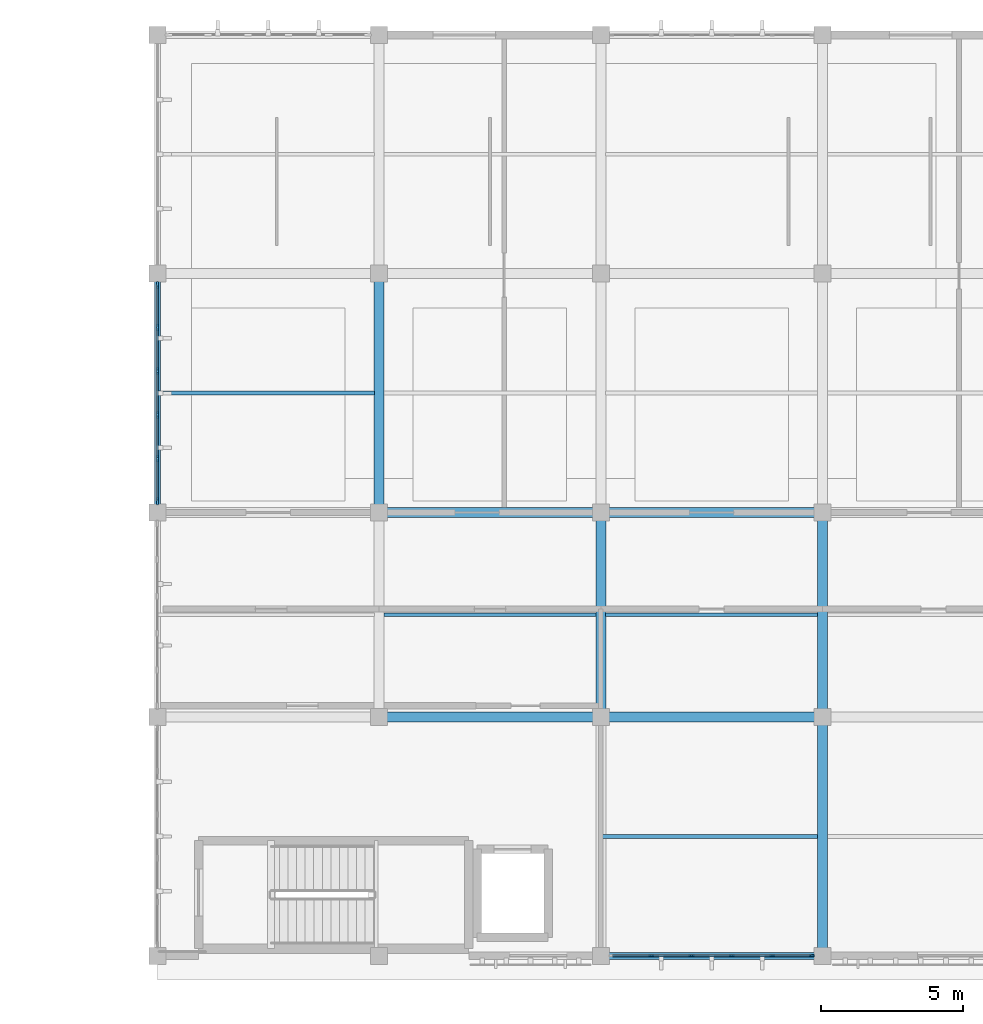
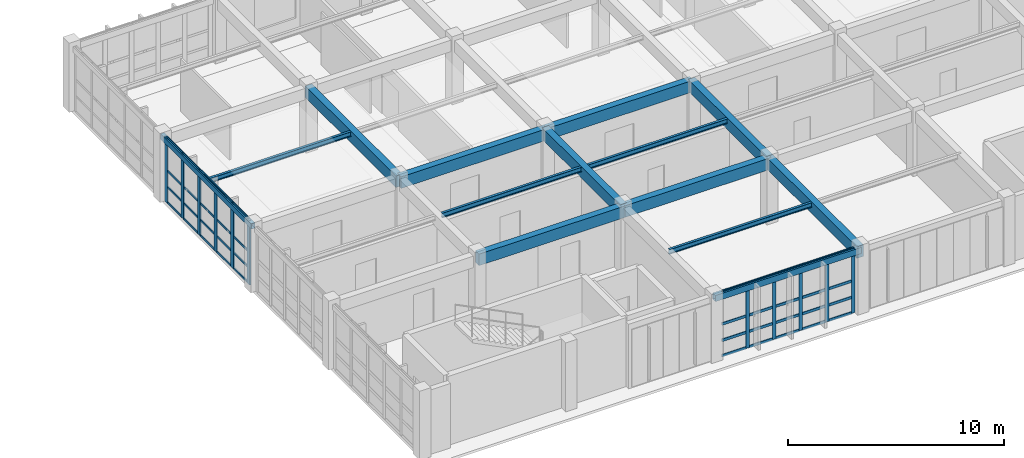
# One storey, part 7 of 67: 51 members, 14 beams, 2 elements without a shape of their own.
"""IFC4 building model written with IfcOpenShell, lengths in metres."""

from ifc_helpers import new_model, si_unit, direction, frame, origin, origin_2d, place, context, subcontext, project, spatial, rectangle, hollow_rectangle, i_section, extrude, material, material_profile, profile_set, type_object, element, aggregate, save


model = new_model("IFC4")

# Units and contexts
model_context = context("Model", 3, precision=1e-05, world=origin(), true_north=direction((0.0, 1.0)))
body_context = subcontext(model_context, "Body", "Model", "MODEL_VIEW")
ifc_project = project(units=[si_unit("LENGTHUNIT", "METRE"), si_unit("AREAUNIT", "SQUARE_METRE"), si_unit("VOLUMEUNIT", "CUBIC_METRE"), si_unit("PLANEANGLEUNIT", "RADIAN"), si_unit("MASSUNIT", "GRAM", prefix="KILO")], contexts=[model_context])

# Site, building, storey
site_placement = place(None, origin())
site = spatial("IfcSite", under=ifc_project, at=site_placement, CompositionType="ELEMENT")
building_placement = place(site_placement, origin())
building = spatial("IfcBuilding", under=site, at=building_placement, Name="Tizgana Railside Sports Hall", CompositionType="ELEMENT")
storey_placement = place(building_placement, frame((0.0, 0.0, 12.0)))
storey = spatial("IfcBuildingStorey", under=building, at=storey_placement, Name="L02", CompositionType="ELEMENT", Elevation=12.0)

# Beams
ifc_material_1 = material(Name="Concrete C35/45", Category="concrete")
ifc_material_profile_1 = material_profile(ifc_material_1, rectangle(XDim=0.35009765625, YDim=0.64990234375, at=origin_2d()), Name="RCB 350x650")
ifc_profile_set_1 = profile_set([ifc_material_profile_1], Name="Concrete C35/45")
beam_type_1 = type_object("IfcBeamType", Name="Concrete Beam RCB 350x650", PredefinedType="BEAM", material=ifc_profile_set_1)
beam_1_placement = place(storey_placement, frame((15.60009765625, 15.60009765625, 3.31103515625), z_axis=(0.0, 1.0, 0.0), x_axis=(-1.0, 0.0, 0.0)))
element("IfcBeam", 1, at=beam_1_placement, inside=storey, type_object=beam_type_1, Name="L02 BEM-0602", PredefinedType="BEAM", context=body_context, shape_type="SweptSolid", body=[
    extrude(rectangle(XDim=0.35009765625, YDim=0.64990234375, at=origin_2d()), origin(), (0.0, 0.0, 1.0), 8.39990234375),
])
beam_2_placement = place(storey_placement, frame((23.39990234375, 8.39990234375, 3.31103515625), z_axis=(0.0, 1.0, 0.0), x_axis=(-1.0, 0.0, 0.0)))
element("IfcBeam", 2, at=beam_2_placement, inside=storey, type_object=beam_type_1, Name="L02 BEM-0605", PredefinedType="BEAM", context=body_context, shape_type="SweptSolid", body=[
    extrude(rectangle(XDim=0.35009765625, YDim=0.64990234375, at=origin_2d()), origin(), (0.0, 0.0, 1.0), 7.2001953125),
])
beam_3_placement = place(storey_placement, frame((31.199951171875, 0.0, 3.31103515625), z_axis=(0.0, 1.0, 0.0), x_axis=(-1.0, 0.0, 0.0)))
element("IfcBeam", 3, at=beam_3_placement, inside=storey, type_object=beam_type_1, Name="L02 BEM-0608", PredefinedType="BEAM", context=body_context, shape_type="SweptSolid", body=[
    extrude(rectangle(XDim=0.35009765625, YDim=0.64990234375, at=origin_2d()), origin(), (0.0, 0.0, 1.0), 8.39990234375),
])
beam_4_placement = place(storey_placement, frame((31.199951171875, 8.39990234375, 3.31103515625), z_axis=(0.0, 1.0, 0.0), x_axis=(-1.0, 0.0, 0.0)))
element("IfcBeam", 4, at=beam_4_placement, inside=storey, type_object=beam_type_1, Name="L02 BEM-0609", PredefinedType="BEAM", context=body_context, shape_type="SweptSolid", body=[
    extrude(rectangle(XDim=0.35009765625, YDim=0.64990234375, at=origin_2d()), origin(), (0.0, 0.0, 1.0), 7.2001953125),
])
for number, where, z_axis, x_axis, name in (
    (5, (15.60009765625, 8.39990234375, 3.31103515625), (1.0, 0.0, 0.0), (0.0, 1.0, 0.0), "L02 BEM-0641"),
    (6, (15.60009765625, 15.60009765625, 3.31103515625), (1.0, 0.0, 0.0), (0.0, 1.0, 0.0), "L02 BEM-0642"),
):
    element("IfcBeam", number, at=place(storey_placement, frame(where, z_axis=z_axis, x_axis=x_axis)), inside=storey, type_object=beam_type_1, Name=name, PredefinedType="BEAM", context=body_context, shape_type="SweptSolid", body=[
        extrude(rectangle(XDim=0.35009765625, YDim=0.64990234375, at=origin_2d()), origin(), (0.0, 0.0, 1.0), 7.7998046875),
    ])
for number, where, z_axis, x_axis, name in (
    (7, (23.39990234375, 8.39990234375, 3.31103515625), (1.0, 0.0, 0.0), (0.0, 1.0, 0.0), "L02 BEM-0649"),
    (8, (23.39990234375, 15.60009765625, 3.31103515625), (1.0, 0.0, 0.0), (0.0, 1.0, 0.0), "L02 BEM-0650"),
):
    element("IfcBeam", number, at=place(storey_placement, frame(where, z_axis=z_axis, x_axis=x_axis)), inside=storey, type_object=beam_type_1, Name=name, PredefinedType="BEAM", context=body_context, shape_type="SweptSolid", body=[
        extrude(rectangle(XDim=0.35009765625, YDim=0.64990234375, at=origin_2d()), origin(), (0.0, 0.0, 1.0), 7.800048828125),
    ])

# Curtain wall, members
ifc_material_2 = material(Name="Anodised aluminium and glass", Category="aluminium")
curtain_wall_type_1 = type_object("IfcCurtainWallType", Name="Unitised Curtain Wall Concourse 1500", PredefinedType="NOTDEFINED", material=ifc_material_2)
curtain_wall_1_placement = place(storey_placement, origin())
curtain_wall_1 = element("IfcCurtainWall", 9, at=curtain_wall_1_placement, inside=storey, type_object=curtain_wall_type_1, Name="L02 Curtain Wall CW-0104", PredefinedType="NOTDEFINED")
ifc_material_3 = material(Name="Anodised aluminium", Category="aluminium")
ifc_material_profile_2 = material_profile(ifc_material_3, rectangle(XDim=0.06005859375, YDim=0.179931640625, at=origin_2d()), Name="Mullion 60x180")
ifc_profile_set_2 = profile_set([ifc_material_profile_2], Name="Anodised aluminium")
member_type_1 = type_object("IfcMemberType", Name="Mullion 60x180", PredefinedType="MULLION", material=ifc_profile_set_2)
member_1_placement = place(storey_placement, frame((30.81494140625, 0.0, 0.0), z_axis=(0.0, 0.0, 1.0), x_axis=(0.0, -1.0, 0.0)))
member_1 = element("IfcMember", 10, at=member_1_placement, type_object=member_type_1, Name="CW-01 mullion 1", PredefinedType="MULLION", context=body_context, shape_type="SweptSolid", body=[
    extrude(rectangle(XDim=0.06005859375, YDim=0.179931640625, at=origin_2d()), origin(), (0.0, 0.0, 1.0), 3.639892578125),
])
member_2_placement = place(storey_placement, frame((29.427001953125, 0.0, 0.0), z_axis=(0.0, 0.0, 1.0), x_axis=(0.0, -1.0, 0.0)))
member_2 = element("IfcMember", 11, at=member_2_placement, type_object=member_type_1, Name="CW-01 mullion 2", PredefinedType="MULLION", context=body_context, shape_type="SweptSolid", body=[
    extrude(rectangle(XDim=0.06005859375, YDim=0.179931640625, at=origin_2d()), origin(), (0.0, 0.0, 1.0), 3.639892578125),
])
member_3_placement = place(storey_placement, frame((28.009033203125, 0.0, 0.0), z_axis=(0.0, 0.0, 1.0), x_axis=(0.0, -1.0, 0.0)))
member_3 = element("IfcMember", 12, at=member_3_placement, type_object=member_type_1, Name="CW-01 mullion 3", PredefinedType="MULLION", context=body_context, shape_type="SweptSolid", body=[
    extrude(rectangle(XDim=0.06005859375, YDim=0.179931640625, at=origin_2d()), origin(), (0.0, 0.0, 1.0), 3.639892578125),
])
member_4_placement = place(storey_placement, frame((26.591064453125, 0.0, 0.0), z_axis=(0.0, 0.0, 1.0), x_axis=(0.0, -1.0, 0.0)))
member_4 = element("IfcMember", 13, at=member_4_placement, type_object=member_type_1, Name="CW-01 mullion 4", PredefinedType="MULLION", context=body_context, shape_type="SweptSolid", body=[
    extrude(rectangle(XDim=0.06005859375, YDim=0.179931640625, at=origin_2d()), origin(), (0.0, 0.0, 1.0), 3.639892578125),
])
member_5_placement = place(storey_placement, frame((25.173095703125, 0.0, 0.0), z_axis=(0.0, 0.0, 1.0), x_axis=(0.0, -1.0, 0.0)))
member_5 = element("IfcMember", 14, at=member_5_placement, type_object=member_type_1, Name="CW-01 mullion 5", PredefinedType="MULLION", context=body_context, shape_type="SweptSolid", body=[
    extrude(rectangle(XDim=0.06005859375, YDim=0.179931640625, at=origin_2d()), origin(), (0.0, 0.0, 1.0), 3.639892578125),
])

curtain_wall_type_2 = type_object("IfcCurtainWallType", Name="Unitised Curtain Wall Foyer 1300", PredefinedType="NOTDEFINED", material=ifc_material_2)
curtain_wall_2_placement = place(storey_placement, origin())
curtain_wall_2 = element("IfcCurtainWall", 15, at=curtain_wall_2_placement, inside=storey, type_object=curtain_wall_type_2, Name="L02 Curtain Wall CW-0113", PredefinedType="NOTDEFINED")
ifc_material_profile_3 = material_profile(ifc_material_3, rectangle(XDim=0.074951171875, YDim=0.25, at=origin_2d()), Name="Mullion 75x250")
ifc_profile_set_3 = profile_set([ifc_material_profile_3], Name="Anodised aluminium")
member_type_2 = type_object("IfcMemberType", Name="Mullion 75x250", PredefinedType="MULLION", material=ifc_profile_set_3)
member_6_placement = place(storey_placement, frame((7.800048828125, 23.607421875, 0.0), z_axis=(0.0, 0.0, 1.0), x_axis=(1.0, 0.0, 0.0)))
member_6 = element("IfcMember", 16, at=member_6_placement, type_object=member_type_2, Name="CW-02 mullion 1", PredefinedType="MULLION", context=body_context, shape_type="SweptSolid", body=[
    extrude(rectangle(XDim=0.074951171875, YDim=0.25, at=origin_2d()), origin(), (0.0, 0.0, 1.0), 3.639892578125),
])
member_7_placement = place(storey_placement, frame((7.800048828125, 22.10693359375, 0.0), z_axis=(0.0, 0.0, 1.0), x_axis=(1.0, 0.0, 0.0)))
member_7 = element("IfcMember", 17, at=member_7_placement, type_object=member_type_2, Name="CW-02 mullion 2", PredefinedType="MULLION", context=body_context, shape_type="SweptSolid", body=[
    extrude(rectangle(XDim=0.074951171875, YDim=0.25, at=origin_2d()), origin(), (0.0, 0.0, 1.0), 3.639892578125),
])
member_8_placement = place(storey_placement, frame((7.800048828125, 20.569091796875, 0.0), z_axis=(0.0, 0.0, 1.0), x_axis=(1.0, 0.0, 0.0)))
member_8 = element("IfcMember", 18, at=member_8_placement, type_object=member_type_2, Name="CW-02 mullion 3", PredefinedType="MULLION", context=body_context, shape_type="SweptSolid", body=[
    extrude(rectangle(XDim=0.074951171875, YDim=0.25, at=origin_2d()), origin(), (0.0, 0.0, 1.0), 3.639892578125),
])
member_9_placement = place(storey_placement, frame((7.800048828125, 19.031005859375, 0.0), z_axis=(0.0, 0.0, 1.0), x_axis=(1.0, 0.0, 0.0)))
member_9 = element("IfcMember", 19, at=member_9_placement, type_object=member_type_2, Name="CW-02 mullion 4", PredefinedType="MULLION", context=body_context, shape_type="SweptSolid", body=[
    extrude(rectangle(XDim=0.074951171875, YDim=0.25, at=origin_2d()), origin(), (0.0, 0.0, 1.0), 3.639892578125),
])
member_10_placement = place(storey_placement, frame((7.800048828125, 17.492919921875, 0.0), z_axis=(0.0, 0.0, 1.0), x_axis=(1.0, 0.0, 0.0)))
member_10 = element("IfcMember", 20, at=member_10_placement, type_object=member_type_2, Name="CW-02 mullion 5", PredefinedType="MULLION", context=body_context, shape_type="SweptSolid", body=[
    extrude(rectangle(XDim=0.074951171875, YDim=0.25, at=origin_2d()), origin(), (0.0, 0.0, 1.0), 3.639892578125),
])
member_11_placement = place(storey_placement, frame((7.800048828125, 15.992431640625, 0.0), z_axis=(0.0, 0.0, 1.0), x_axis=(1.0, 0.0, 0.0)))
member_11 = element("IfcMember", 21, at=member_11_placement, type_object=member_type_2, Name="CW-02 mullion 6", PredefinedType="MULLION", context=body_context, shape_type="SweptSolid", body=[
    extrude(rectangle(XDim=0.074951171875, YDim=0.25, at=origin_2d()), origin(), (0.0, 0.0, 1.0), 3.639892578125),
])

# Beams
ifc_material_4 = material(Name="Steel S355J2", Category="steel")
ifc_material_profile_4 = material_profile(ifc_material_4, i_section(OverallWidth=0.1298828125, OverallDepth=0.27001953125, WebThickness=0.006591796875, FlangeThickness=0.01025390625, FilletRadius=0.014892578125, at=origin_2d()), Name="IPE 270")
ifc_profile_set_4 = profile_set([ifc_material_profile_4], Name="Steel S355J2")
beam_type_2 = type_object("IfcBeamType", Name="Steel Joist IPE 270", PredefinedType="JOIST", material=ifc_profile_set_4)
beam_5_placement = place(storey_placement, frame((7.800048828125, 19.800048828125, 3.5009765625), z_axis=(1.0, 0.0, 0.0), x_axis=(0.0, 1.0, 0.0)))
element("IfcBeam", 22, at=beam_5_placement, inside=storey, type_object=beam_type_2, Name="L02 BEM-0639", PredefinedType="JOIST", context=body_context, shape_type="SweptSolid", body=[
    extrude(i_section(OverallWidth=0.1298828125, OverallDepth=0.27001953125, WebThickness=0.006591796875, FlangeThickness=0.01025390625, FilletRadius=0.014892578125, at=origin_2d()), origin(), (0.0, 0.0, 1.0), 7.6298828125),
])
beam_6_placement = place(storey_placement, frame((15.77001953125, 12.0, 3.5009765625), z_axis=(1.0, 0.0, 0.0), x_axis=(0.0, 1.0, 0.0)))
element("IfcBeam", 23, at=beam_6_placement, inside=storey, type_object=beam_type_2, Name="L02 BEM-0645", PredefinedType="JOIST", context=body_context, shape_type="SweptSolid", body=[
    extrude(i_section(OverallWidth=0.1298828125, OverallDepth=0.27001953125, WebThickness=0.006591796875, FlangeThickness=0.01025390625, FilletRadius=0.014892578125, at=origin_2d()), origin(), (0.0, 0.0, 1.0), 7.4599609375),
])
beam_7_placement = place(storey_placement, frame((23.39990234375, 4.199951171875, 3.5009765625), z_axis=(1.0, 0.0, 0.0), x_axis=(0.0, 1.0, 0.0)))
element("IfcBeam", 24, at=beam_7_placement, inside=storey, type_object=beam_type_2, Name="L02 BEM-0653", PredefinedType="JOIST", context=body_context, shape_type="SweptSolid", body=[
    extrude(i_section(OverallWidth=0.1298828125, OverallDepth=0.27001953125, WebThickness=0.006591796875, FlangeThickness=0.01025390625, FilletRadius=0.014892578125, at=origin_2d()), origin(), (0.0, 0.0, 1.0), 7.630126953125),
])
beam_8_placement = place(storey_placement, frame((23.570068359375, 12.0, 3.5009765625), z_axis=(1.0, 0.0, 0.0), x_axis=(0.0, 1.0, 0.0)))
element("IfcBeam", 25, at=beam_8_placement, inside=storey, type_object=beam_type_2, Name="L02 BEM-0654", PredefinedType="JOIST", context=body_context, shape_type="SweptSolid", body=[
    extrude(i_section(OverallWidth=0.1298828125, OverallDepth=0.27001953125, WebThickness=0.006591796875, FlangeThickness=0.01025390625, FilletRadius=0.014892578125, at=origin_2d()), origin(), (0.0, 0.0, 1.0), 7.4599609375),
])
ifc_material_profile_5 = material_profile(ifc_material_4, hollow_rectangle(XDim=0.199951171875, YDim=0.300048828125, WallThickness=0.010009765625, at=origin_2d()), Name="RHS 300x200x10")
ifc_profile_set_5 = profile_set([ifc_material_profile_5], Name="Steel S355J2")
beam_type_3 = type_object("IfcBeamType", Name="Steel Spandrel RHS 300x200x10", PredefinedType="SPANDREL", material=ifc_profile_set_5)
beam_9_placement = place(storey_placement, frame((7.800048828125, 15.60009765625, 3.486083984375), z_axis=(0.0, 1.0, 0.0), x_axis=(-1.0, 0.0, 0.0)))
element("IfcBeam", 26, at=beam_9_placement, inside=storey, type_object=beam_type_3, Name="L02 BEM-0599", PredefinedType="SPANDREL", context=body_context, shape_type="SweptSolid", body=[
    extrude(hollow_rectangle(XDim=0.199951171875, YDim=0.300048828125, WallThickness=0.010009765625, at=origin_2d()), origin(), (0.0, 0.0, 1.0), 8.39990234375),
])
ifc_material_profile_6 = material_profile(ifc_material_4, hollow_rectangle(XDim=0.25, YDim=0.35009765625, WallThickness=0.011962890625, at=origin_2d()), Name="RHS 350x250x12")
ifc_profile_set_6 = profile_set([ifc_material_profile_6], Name="Steel S355J2")
beam_type_4 = type_object("IfcBeamType", Name="Steel Spandrel RHS 350x250x12", PredefinedType="SPANDREL", material=ifc_profile_set_6)
beam_10_placement = place(storey_placement, frame((23.39990234375, 0.0, 3.4609375), z_axis=(1.0, 0.0, 0.0), x_axis=(0.0, 1.0, 0.0)))
element("IfcBeam", 27, at=beam_10_placement, inside=storey, type_object=beam_type_4, Name="L02 BEM-0648", PredefinedType="SPANDREL", context=body_context, shape_type="SweptSolid", body=[
    extrude(hollow_rectangle(XDim=0.25, YDim=0.35009765625, WallThickness=0.011962890625, at=origin_2d()), origin(), (0.0, 0.0, 1.0), 7.800048828125),
])

# Member
ifc_material_profile_7 = material_profile(ifc_material_3, rectangle(XDim=0.054931640625, YDim=0.1201171875, at=origin_2d()), Name="Transom 55x120")
ifc_profile_set_7 = profile_set([ifc_material_profile_7], Name="Anodised aluminium")
member_type_3 = type_object("IfcMemberType", Name="Transom 55x120", PredefinedType="USERDEFINED", material=ifc_profile_set_7)
member_12_placement = place(storey_placement, frame((7.800048828125, 23.570068359375, 0.027587890625), z_axis=(0.0, -1.0, 0.0), x_axis=(1.0, 0.0, 0.0)))
member_12 = element("IfcMember", 28, at=member_12_placement, type_object=member_type_3, Name="CW-02 transom 1.1", ObjectType="TRANSOM", PredefinedType="USERDEFINED", context=body_context, shape_type="SweptSolid", body=[
    extrude(rectangle(XDim=0.054931640625, YDim=0.1201171875, at=origin_2d()), origin(), (0.0, 0.0, 1.0), 1.425537109375),
])

member_13_placement = place(storey_placement, frame((7.800048828125, 23.570068359375, 0.89990234375), z_axis=(0.0, -1.0, 0.0), x_axis=(1.0, 0.0, 0.0)))
member_13 = element("IfcMember", 29, at=member_13_placement, type_object=member_type_3, Name="CW-02 transom 1.2", ObjectType="TRANSOM", PredefinedType="USERDEFINED", context=body_context, shape_type="SweptSolid", body=[
    extrude(rectangle(XDim=0.054931640625, YDim=0.1201171875, at=origin_2d()), origin(), (0.0, 0.0, 1.0), 1.425537109375),
])

member_14_placement = place(storey_placement, frame((7.800048828125, 23.570068359375, 1.820068359375), z_axis=(0.0, -1.0, 0.0), x_axis=(1.0, 0.0, 0.0)))
member_14 = element("IfcMember", 30, at=member_14_placement, type_object=member_type_3, Name="CW-02 transom 1.3", ObjectType="TRANSOM", PredefinedType="USERDEFINED", context=body_context, shape_type="SweptSolid", body=[
    extrude(rectangle(XDim=0.054931640625, YDim=0.1201171875, at=origin_2d()), origin(), (0.0, 0.0, 1.0), 1.425537109375),
])

member_15_placement = place(storey_placement, frame((7.800048828125, 23.570068359375, 3.612548828125), z_axis=(0.0, -1.0, 0.0), x_axis=(1.0, 0.0, 0.0)))
member_15 = element("IfcMember", 31, at=member_15_placement, type_object=member_type_3, Name="CW-02 transom 1.4", ObjectType="TRANSOM", PredefinedType="USERDEFINED", context=body_context, shape_type="SweptSolid", body=[
    extrude(rectangle(XDim=0.054931640625, YDim=0.1201171875, at=origin_2d()), origin(), (0.0, 0.0, 1.0), 1.425537109375),
])

member_16_placement = place(storey_placement, frame((7.800048828125, 22.069580078125, 0.027587890625), z_axis=(0.0, -1.0, 0.0), x_axis=(1.0, 0.0, 0.0)))
member_16 = element("IfcMember", 32, at=member_16_placement, type_object=member_type_3, Name="CW-02 transom 2.1", ObjectType="TRANSOM", PredefinedType="USERDEFINED", context=body_context, shape_type="SweptSolid", body=[
    extrude(rectangle(XDim=0.054931640625, YDim=0.1201171875, at=origin_2d()), origin(), (0.0, 0.0, 1.0), 1.463134765625),
])

member_17_placement = place(storey_placement, frame((7.800048828125, 22.069580078125, 0.89990234375), z_axis=(0.0, -1.0, 0.0), x_axis=(1.0, 0.0, 0.0)))
member_17 = element("IfcMember", 33, at=member_17_placement, type_object=member_type_3, Name="CW-02 transom 2.2", ObjectType="TRANSOM", PredefinedType="USERDEFINED", context=body_context, shape_type="SweptSolid", body=[
    extrude(rectangle(XDim=0.054931640625, YDim=0.1201171875, at=origin_2d()), origin(), (0.0, 0.0, 1.0), 1.463134765625),
])

member_18_placement = place(storey_placement, frame((7.800048828125, 22.069580078125, 1.820068359375), z_axis=(0.0, -1.0, 0.0), x_axis=(1.0, 0.0, 0.0)))
member_18 = element("IfcMember", 34, at=member_18_placement, type_object=member_type_3, Name="CW-02 transom 2.3", ObjectType="TRANSOM", PredefinedType="USERDEFINED", context=body_context, shape_type="SweptSolid", body=[
    extrude(rectangle(XDim=0.054931640625, YDim=0.1201171875, at=origin_2d()), origin(), (0.0, 0.0, 1.0), 1.463134765625),
])

member_19_placement = place(storey_placement, frame((7.800048828125, 22.069580078125, 3.612548828125), z_axis=(0.0, -1.0, 0.0), x_axis=(1.0, 0.0, 0.0)))
member_19 = element("IfcMember", 35, at=member_19_placement, type_object=member_type_3, Name="CW-02 transom 2.4", ObjectType="TRANSOM", PredefinedType="USERDEFINED", context=body_context, shape_type="SweptSolid", body=[
    extrude(rectangle(XDim=0.054931640625, YDim=0.1201171875, at=origin_2d()), origin(), (0.0, 0.0, 1.0), 1.463134765625),
])

member_20_placement = place(storey_placement, frame((7.800048828125, 20.531494140625, 0.027587890625), z_axis=(0.0, -1.0, 0.0), x_axis=(1.0, 0.0, 0.0)))
member_20 = element("IfcMember", 36, at=member_20_placement, type_object=member_type_3, Name="CW-02 transom 3.1", ObjectType="TRANSOM", PredefinedType="USERDEFINED", context=body_context, shape_type="SweptSolid", body=[
    extrude(rectangle(XDim=0.054931640625, YDim=0.1201171875, at=origin_2d()), origin(), (0.0, 0.0, 1.0), 1.462890625),
])

member_21_placement = place(storey_placement, frame((7.800048828125, 20.531494140625, 0.89990234375), z_axis=(0.0, -1.0, 0.0), x_axis=(1.0, 0.0, 0.0)))
member_21 = element("IfcMember", 37, at=member_21_placement, type_object=member_type_3, Name="CW-02 transom 3.2", ObjectType="TRANSOM", PredefinedType="USERDEFINED", context=body_context, shape_type="SweptSolid", body=[
    extrude(rectangle(XDim=0.054931640625, YDim=0.1201171875, at=origin_2d()), origin(), (0.0, 0.0, 1.0), 1.462890625),
])

member_22_placement = place(storey_placement, frame((7.800048828125, 20.531494140625, 1.820068359375), z_axis=(0.0, -1.0, 0.0), x_axis=(1.0, 0.0, 0.0)))
member_22 = element("IfcMember", 38, at=member_22_placement, type_object=member_type_3, Name="CW-02 transom 3.3", ObjectType="TRANSOM", PredefinedType="USERDEFINED", context=body_context, shape_type="SweptSolid", body=[
    extrude(rectangle(XDim=0.054931640625, YDim=0.1201171875, at=origin_2d()), origin(), (0.0, 0.0, 1.0), 1.462890625),
])

member_23_placement = place(storey_placement, frame((7.800048828125, 20.531494140625, 3.612548828125), z_axis=(0.0, -1.0, 0.0), x_axis=(1.0, 0.0, 0.0)))
member_23 = element("IfcMember", 39, at=member_23_placement, type_object=member_type_3, Name="CW-02 transom 3.4", ObjectType="TRANSOM", PredefinedType="USERDEFINED", context=body_context, shape_type="SweptSolid", body=[
    extrude(rectangle(XDim=0.054931640625, YDim=0.1201171875, at=origin_2d()), origin(), (0.0, 0.0, 1.0), 1.462890625),
])

member_24_placement = place(storey_placement, frame((7.800048828125, 18.993408203125, 0.027587890625), z_axis=(0.0, -1.0, 0.0), x_axis=(1.0, 0.0, 0.0)))
member_24 = element("IfcMember", 40, at=member_24_placement, type_object=member_type_3, Name="CW-02 transom 4.1", ObjectType="TRANSOM", PredefinedType="USERDEFINED", context=body_context, shape_type="SweptSolid", body=[
    extrude(rectangle(XDim=0.054931640625, YDim=0.1201171875, at=origin_2d()), origin(), (0.0, 0.0, 1.0), 1.462890625),
])

member_25_placement = place(storey_placement, frame((7.800048828125, 18.993408203125, 0.89990234375), z_axis=(0.0, -1.0, 0.0), x_axis=(1.0, 0.0, 0.0)))
member_25 = element("IfcMember", 41, at=member_25_placement, type_object=member_type_3, Name="CW-02 transom 4.2", ObjectType="TRANSOM", PredefinedType="USERDEFINED", context=body_context, shape_type="SweptSolid", body=[
    extrude(rectangle(XDim=0.054931640625, YDim=0.1201171875, at=origin_2d()), origin(), (0.0, 0.0, 1.0), 1.462890625),
])

member_26_placement = place(storey_placement, frame((7.800048828125, 18.993408203125, 1.820068359375), z_axis=(0.0, -1.0, 0.0), x_axis=(1.0, 0.0, 0.0)))
member_26 = element("IfcMember", 42, at=member_26_placement, type_object=member_type_3, Name="CW-02 transom 4.3", ObjectType="TRANSOM", PredefinedType="USERDEFINED", context=body_context, shape_type="SweptSolid", body=[
    extrude(rectangle(XDim=0.054931640625, YDim=0.1201171875, at=origin_2d()), origin(), (0.0, 0.0, 1.0), 1.462890625),
])

member_27_placement = place(storey_placement, frame((7.800048828125, 18.993408203125, 3.612548828125), z_axis=(0.0, -1.0, 0.0), x_axis=(1.0, 0.0, 0.0)))
member_27 = element("IfcMember", 43, at=member_27_placement, type_object=member_type_3, Name="CW-02 transom 4.4", ObjectType="TRANSOM", PredefinedType="USERDEFINED", context=body_context, shape_type="SweptSolid", body=[
    extrude(rectangle(XDim=0.054931640625, YDim=0.1201171875, at=origin_2d()), origin(), (0.0, 0.0, 1.0), 1.462890625),
])

member_28_placement = place(storey_placement, frame((7.800048828125, 17.45556640625, 0.027587890625), z_axis=(0.0, -1.0, 0.0), x_axis=(1.0, 0.0, 0.0)))
member_28 = element("IfcMember", 44, at=member_28_placement, type_object=member_type_3, Name="CW-02 transom 5.1", ObjectType="TRANSOM", PredefinedType="USERDEFINED", context=body_context, shape_type="SweptSolid", body=[
    extrude(rectangle(XDim=0.054931640625, YDim=0.1201171875, at=origin_2d()), origin(), (0.0, 0.0, 1.0), 1.425537109375),
])

member_29_placement = place(storey_placement, frame((7.800048828125, 17.45556640625, 0.89990234375), z_axis=(0.0, -1.0, 0.0), x_axis=(1.0, 0.0, 0.0)))
member_29 = element("IfcMember", 45, at=member_29_placement, type_object=member_type_3, Name="CW-02 transom 5.2", ObjectType="TRANSOM", PredefinedType="USERDEFINED", context=body_context, shape_type="SweptSolid", body=[
    extrude(rectangle(XDim=0.054931640625, YDim=0.1201171875, at=origin_2d()), origin(), (0.0, 0.0, 1.0), 1.425537109375),
])

member_30_placement = place(storey_placement, frame((7.800048828125, 17.45556640625, 1.820068359375), z_axis=(0.0, -1.0, 0.0), x_axis=(1.0, 0.0, 0.0)))
member_30 = element("IfcMember", 46, at=member_30_placement, type_object=member_type_3, Name="CW-02 transom 5.3", ObjectType="TRANSOM", PredefinedType="USERDEFINED", context=body_context, shape_type="SweptSolid", body=[
    extrude(rectangle(XDim=0.054931640625, YDim=0.1201171875, at=origin_2d()), origin(), (0.0, 0.0, 1.0), 1.425537109375),
])

member_31_placement = place(storey_placement, frame((7.800048828125, 17.45556640625, 3.612548828125), z_axis=(0.0, -1.0, 0.0), x_axis=(1.0, 0.0, 0.0)))
member_31 = element("IfcMember", 47, at=member_31_placement, type_object=member_type_3, Name="CW-02 transom 5.4", ObjectType="TRANSOM", PredefinedType="USERDEFINED", context=body_context, shape_type="SweptSolid", body=[
    extrude(rectangle(XDim=0.054931640625, YDim=0.1201171875, at=origin_2d()), origin(), (0.0, 0.0, 1.0), 1.425537109375),
])

aggregate(curtain_wall_2, [member_6, member_7, member_8, member_9, member_10, member_11, member_12, member_13, member_14, member_15, member_16, member_17, member_18, member_19, member_20, member_21, member_22, member_23, member_24, member_25, member_26, member_27, member_28, member_29, member_30, member_31])

ifc_material_profile_8 = material_profile(ifc_material_3, rectangle(XDim=0.06005859375, YDim=0.14990234375, at=origin_2d()), Name="Transom 60x150")
ifc_profile_set_8 = profile_set([ifc_material_profile_8], Name="Anodised aluminium")
member_type_4 = type_object("IfcMemberType", Name="Transom 60x150", PredefinedType="USERDEFINED", material=ifc_profile_set_8)
member_32_placement = place(storey_placement, frame((30.784912109375, 0.0, 0.030029296875), z_axis=(-1.0, 0.0, 0.0), x_axis=(0.0, -1.0, 0.0)))
member_32 = element("IfcMember", 48, at=member_32_placement, type_object=member_type_4, Name="CW-01 transom 1.1", ObjectType="TRANSOM", PredefinedType="USERDEFINED", context=body_context, shape_type="SweptSolid", body=[
    extrude(rectangle(XDim=0.06005859375, YDim=0.14990234375, at=origin_2d()), origin(), (0.0, 0.0, 1.0), 1.327880859375),
])

member_33_placement = place(storey_placement, frame((30.784912109375, 0.0, 0.89990234375), z_axis=(-1.0, 0.0, 0.0), x_axis=(0.0, -1.0, 0.0)))
member_33 = element("IfcMember", 49, at=member_33_placement, type_object=member_type_4, Name="CW-01 transom 1.2", ObjectType="TRANSOM", PredefinedType="USERDEFINED", context=body_context, shape_type="SweptSolid", body=[
    extrude(rectangle(XDim=0.06005859375, YDim=0.14990234375, at=origin_2d()), origin(), (0.0, 0.0, 1.0), 1.327880859375),
])

member_34_placement = place(storey_placement, frame((30.784912109375, 0.0, 1.820068359375), z_axis=(-1.0, 0.0, 0.0), x_axis=(0.0, -1.0, 0.0)))
member_34 = element("IfcMember", 50, at=member_34_placement, type_object=member_type_4, Name="CW-01 transom 1.3", ObjectType="TRANSOM", PredefinedType="USERDEFINED", context=body_context, shape_type="SweptSolid", body=[
    extrude(rectangle(XDim=0.06005859375, YDim=0.14990234375, at=origin_2d()), origin(), (0.0, 0.0, 1.0), 1.327880859375),
])

member_35_placement = place(storey_placement, frame((30.784912109375, 0.0, 3.610107421875), z_axis=(-1.0, 0.0, 0.0), x_axis=(0.0, -1.0, 0.0)))
member_35 = element("IfcMember", 51, at=member_35_placement, type_object=member_type_4, Name="CW-01 transom 1.4", ObjectType="TRANSOM", PredefinedType="USERDEFINED", context=body_context, shape_type="SweptSolid", body=[
    extrude(rectangle(XDim=0.06005859375, YDim=0.14990234375, at=origin_2d()), origin(), (0.0, 0.0, 1.0), 1.327880859375),
])

member_36_placement = place(storey_placement, frame((29.39697265625, 0.0, 0.030029296875), z_axis=(-1.0, 0.0, 0.0), x_axis=(0.0, -1.0, 0.0)))
member_36 = element("IfcMember", 52, at=member_36_placement, type_object=member_type_4, Name="CW-01 transom 2.1", ObjectType="TRANSOM", PredefinedType="USERDEFINED", context=body_context, shape_type="SweptSolid", body=[
    extrude(rectangle(XDim=0.06005859375, YDim=0.14990234375, at=origin_2d()), origin(), (0.0, 0.0, 1.0), 1.35791015625),
])

member_37_placement = place(storey_placement, frame((29.39697265625, 0.0, 0.89990234375), z_axis=(-1.0, 0.0, 0.0), x_axis=(0.0, -1.0, 0.0)))
member_37 = element("IfcMember", 53, at=member_37_placement, type_object=member_type_4, Name="CW-01 transom 2.2", ObjectType="TRANSOM", PredefinedType="USERDEFINED", context=body_context, shape_type="SweptSolid", body=[
    extrude(rectangle(XDim=0.06005859375, YDim=0.14990234375, at=origin_2d()), origin(), (0.0, 0.0, 1.0), 1.35791015625),
])

member_38_placement = place(storey_placement, frame((29.39697265625, 0.0, 1.820068359375), z_axis=(-1.0, 0.0, 0.0), x_axis=(0.0, -1.0, 0.0)))
member_38 = element("IfcMember", 54, at=member_38_placement, type_object=member_type_4, Name="CW-01 transom 2.3", ObjectType="TRANSOM", PredefinedType="USERDEFINED", context=body_context, shape_type="SweptSolid", body=[
    extrude(rectangle(XDim=0.06005859375, YDim=0.14990234375, at=origin_2d()), origin(), (0.0, 0.0, 1.0), 1.35791015625),
])

member_39_placement = place(storey_placement, frame((29.39697265625, 0.0, 3.610107421875), z_axis=(-1.0, 0.0, 0.0), x_axis=(0.0, -1.0, 0.0)))
member_39 = element("IfcMember", 55, at=member_39_placement, type_object=member_type_4, Name="CW-01 transom 2.4", ObjectType="TRANSOM", PredefinedType="USERDEFINED", context=body_context, shape_type="SweptSolid", body=[
    extrude(rectangle(XDim=0.06005859375, YDim=0.14990234375, at=origin_2d()), origin(), (0.0, 0.0, 1.0), 1.35791015625),
])

member_40_placement = place(storey_placement, frame((27.97900390625, 0.0, 0.030029296875), z_axis=(-1.0, 0.0, 0.0), x_axis=(0.0, -1.0, 0.0)))
member_40 = element("IfcMember", 56, at=member_40_placement, type_object=member_type_4, Name="CW-01 transom 3.1", ObjectType="TRANSOM", PredefinedType="USERDEFINED", context=body_context, shape_type="SweptSolid", body=[
    extrude(rectangle(XDim=0.06005859375, YDim=0.14990234375, at=origin_2d()), origin(), (0.0, 0.0, 1.0), 1.35791015625),
])

member_41_placement = place(storey_placement, frame((27.97900390625, 0.0, 0.89990234375), z_axis=(-1.0, 0.0, 0.0), x_axis=(0.0, -1.0, 0.0)))
member_41 = element("IfcMember", 57, at=member_41_placement, type_object=member_type_4, Name="CW-01 transom 3.2", ObjectType="TRANSOM", PredefinedType="USERDEFINED", context=body_context, shape_type="SweptSolid", body=[
    extrude(rectangle(XDim=0.06005859375, YDim=0.14990234375, at=origin_2d()), origin(), (0.0, 0.0, 1.0), 1.35791015625),
])

member_42_placement = place(storey_placement, frame((27.97900390625, 0.0, 1.820068359375), z_axis=(-1.0, 0.0, 0.0), x_axis=(0.0, -1.0, 0.0)))
member_42 = element("IfcMember", 58, at=member_42_placement, type_object=member_type_4, Name="CW-01 transom 3.3", ObjectType="TRANSOM", PredefinedType="USERDEFINED", context=body_context, shape_type="SweptSolid", body=[
    extrude(rectangle(XDim=0.06005859375, YDim=0.14990234375, at=origin_2d()), origin(), (0.0, 0.0, 1.0), 1.35791015625),
])

member_43_placement = place(storey_placement, frame((27.97900390625, 0.0, 3.610107421875), z_axis=(-1.0, 0.0, 0.0), x_axis=(0.0, -1.0, 0.0)))
member_43 = element("IfcMember", 59, at=member_43_placement, type_object=member_type_4, Name="CW-01 transom 3.4", ObjectType="TRANSOM", PredefinedType="USERDEFINED", context=body_context, shape_type="SweptSolid", body=[
    extrude(rectangle(XDim=0.06005859375, YDim=0.14990234375, at=origin_2d()), origin(), (0.0, 0.0, 1.0), 1.35791015625),
])

member_44_placement = place(storey_placement, frame((26.56103515625, 0.0, 0.030029296875), z_axis=(-1.0, 0.0, 0.0), x_axis=(0.0, -1.0, 0.0)))
member_44 = element("IfcMember", 60, at=member_44_placement, type_object=member_type_4, Name="CW-01 transom 4.1", ObjectType="TRANSOM", PredefinedType="USERDEFINED", context=body_context, shape_type="SweptSolid", body=[
    extrude(rectangle(XDim=0.06005859375, YDim=0.14990234375, at=origin_2d()), origin(), (0.0, 0.0, 1.0), 1.358154296875),
])

member_45_placement = place(storey_placement, frame((26.56103515625, 0.0, 0.89990234375), z_axis=(-1.0, 0.0, 0.0), x_axis=(0.0, -1.0, 0.0)))
member_45 = element("IfcMember", 61, at=member_45_placement, type_object=member_type_4, Name="CW-01 transom 4.2", ObjectType="TRANSOM", PredefinedType="USERDEFINED", context=body_context, shape_type="SweptSolid", body=[
    extrude(rectangle(XDim=0.06005859375, YDim=0.14990234375, at=origin_2d()), origin(), (0.0, 0.0, 1.0), 1.358154296875),
])

member_46_placement = place(storey_placement, frame((26.56103515625, 0.0, 1.820068359375), z_axis=(-1.0, 0.0, 0.0), x_axis=(0.0, -1.0, 0.0)))
member_46 = element("IfcMember", 62, at=member_46_placement, type_object=member_type_4, Name="CW-01 transom 4.3", ObjectType="TRANSOM", PredefinedType="USERDEFINED", context=body_context, shape_type="SweptSolid", body=[
    extrude(rectangle(XDim=0.06005859375, YDim=0.14990234375, at=origin_2d()), origin(), (0.0, 0.0, 1.0), 1.358154296875),
])

member_47_placement = place(storey_placement, frame((26.56103515625, 0.0, 3.610107421875), z_axis=(-1.0, 0.0, 0.0), x_axis=(0.0, -1.0, 0.0)))
member_47 = element("IfcMember", 63, at=member_47_placement, type_object=member_type_4, Name="CW-01 transom 4.4", ObjectType="TRANSOM", PredefinedType="USERDEFINED", context=body_context, shape_type="SweptSolid", body=[
    extrude(rectangle(XDim=0.06005859375, YDim=0.14990234375, at=origin_2d()), origin(), (0.0, 0.0, 1.0), 1.358154296875),
])

member_48_placement = place(storey_placement, frame((25.14306640625, 0.0, 0.030029296875), z_axis=(-1.0, 0.0, 0.0), x_axis=(0.0, -1.0, 0.0)))
member_48 = element("IfcMember", 64, at=member_48_placement, type_object=member_type_4, Name="CW-01 transom 5.1", ObjectType="TRANSOM", PredefinedType="USERDEFINED", context=body_context, shape_type="SweptSolid", body=[
    extrude(rectangle(XDim=0.06005859375, YDim=0.14990234375, at=origin_2d()), origin(), (0.0, 0.0, 1.0), 1.328125),
])

member_49_placement = place(storey_placement, frame((25.14306640625, 0.0, 0.89990234375), z_axis=(-1.0, 0.0, 0.0), x_axis=(0.0, -1.0, 0.0)))
member_49 = element("IfcMember", 65, at=member_49_placement, type_object=member_type_4, Name="CW-01 transom 5.2", ObjectType="TRANSOM", PredefinedType="USERDEFINED", context=body_context, shape_type="SweptSolid", body=[
    extrude(rectangle(XDim=0.06005859375, YDim=0.14990234375, at=origin_2d()), origin(), (0.0, 0.0, 1.0), 1.328125),
])

member_50_placement = place(storey_placement, frame((25.14306640625, 0.0, 1.820068359375), z_axis=(-1.0, 0.0, 0.0), x_axis=(0.0, -1.0, 0.0)))
member_50 = element("IfcMember", 66, at=member_50_placement, type_object=member_type_4, Name="CW-01 transom 5.3", ObjectType="TRANSOM", PredefinedType="USERDEFINED", context=body_context, shape_type="SweptSolid", body=[
    extrude(rectangle(XDim=0.06005859375, YDim=0.14990234375, at=origin_2d()), origin(), (0.0, 0.0, 1.0), 1.328125),
])

member_51_placement = place(storey_placement, frame((25.14306640625, 0.0, 3.610107421875), z_axis=(-1.0, 0.0, 0.0), x_axis=(0.0, -1.0, 0.0)))
member_51 = element("IfcMember", 67, at=member_51_placement, type_object=member_type_4, Name="CW-01 transom 5.4", ObjectType="TRANSOM", PredefinedType="USERDEFINED", context=body_context, shape_type="SweptSolid", body=[
    extrude(rectangle(XDim=0.06005859375, YDim=0.14990234375, at=origin_2d()), origin(), (0.0, 0.0, 1.0), 1.328125),
])

aggregate(curtain_wall_1, [member_1, member_2, member_3, member_4, member_5, member_32, member_33, member_34, member_35, member_36, member_37, member_38, member_39, member_40, member_41, member_42, member_43, member_44, member_45, member_46, member_47, member_48, member_49, member_50, member_51])

save(model, "model.ifc")
